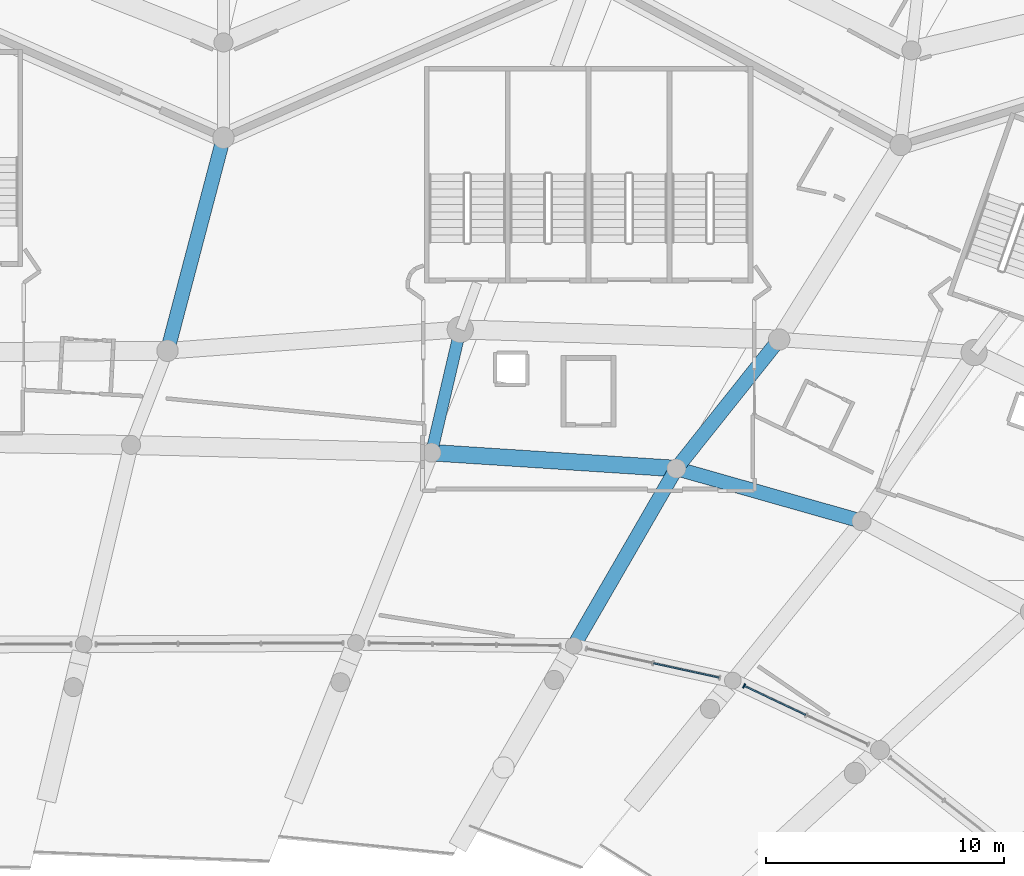
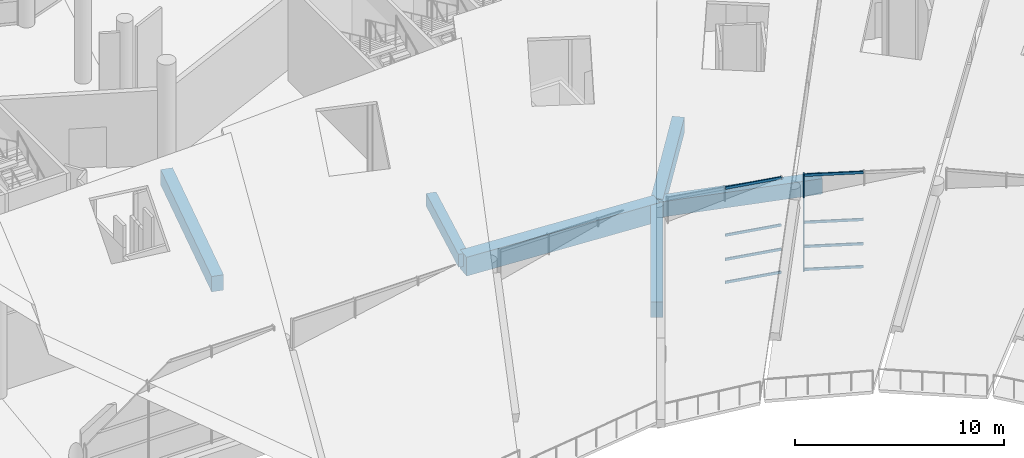
# One storey, part 87 of 249: 9 members, 6 beams, 2 elements without a shape of their own.
"""IFC4 building model written with IfcOpenShell, lengths in metres."""

from ifc_helpers import new_model, si_unit, direction, frame, origin, origin_2d, place, context, subcontext, project, spatial, rectangle, extrude, material, layer, layer_set, material_profile, profile_set, type_object, element, aggregate, save


model = new_model("IFC4")

# Units and contexts
model_context = context("Model", 3, precision=1e-05, world=origin(), true_north=direction((0.0, 1.0)))
body_context = subcontext(model_context, "Body", "Model", "MODEL_VIEW")
ifc_project = project(units=[si_unit("LENGTHUNIT", "METRE"), si_unit("AREAUNIT", "SQUARE_METRE"), si_unit("VOLUMEUNIT", "CUBIC_METRE"), si_unit("PLANEANGLEUNIT", "RADIAN"), si_unit("MASSUNIT", "GRAM", prefix="KILO")], contexts=[model_context])

# Site, building, storey
site_placement = place(None, origin())
site = spatial("IfcSite", under=ifc_project, at=site_placement, CompositionType="ELEMENT")
building_placement = place(site_placement, origin())
building = spatial("IfcBuilding", under=site, at=building_placement, Name="Meseta Stadium", CompositionType="ELEMENT")
storey_placement = place(building_placement, frame((0.0, 0.0, 12.0)))
storey = spatial("IfcBuildingStorey", under=building, at=storey_placement, Name="L02", CompositionType="ELEMENT", Elevation=12.0)

# Curtain wall, members
ifc_material_1 = material(Name="Aluminium", Category="aluminium")
ifc_layer = layer(ifc_material_1, 0.199951171875)
ifc_layer_set = layer_set([ifc_layer], Name="Suite glazing curtain wall")
curtain_wall_type = type_object("IfcCurtainWallType", Name="Suite glazing curtain wall", PredefinedType="NOTDEFINED", material=ifc_layer_set)
curtain_wall_1_placement = place(storey_placement, origin())
curtain_wall_1 = element("IfcCurtainWall", 1, at=curtain_wall_1_placement, inside=storey, type_object=curtain_wall_type, Name="Suite glazing bay 13", PredefinedType="NOTDEFINED")
ifc_material_2 = material(Name="Aluminium", Category="aluminium")
ifc_material_profile_1 = material_profile(ifc_material_2, rectangle(XDim=0.199951171875, YDim=0.06005859375, at=origin_2d()), Name="CW 200x60")
ifc_profile_set_1 = profile_set([ifc_material_profile_1], Name="Aluminium")
member_type_1 = type_object("IfcMemberType", Name="CW mullion 60x200", PredefinedType="MULLION", material=ifc_profile_set_1)
member_1_placement = place(storey_placement, frame((44.86279296875, 75.583251953125, 0.0), z_axis=(0.0, 0.0, 1.0), x_axis=(-0.426837356076, -0.904328409074, 0.0)))
member_1 = element("IfcMember", 2, at=member_1_placement, type_object=member_type_1, Name="CWS mullion 3", PredefinedType="MULLION", context=body_context, shape_type="SweptSolid", body=[
    extrude(rectangle(XDim=0.199951171875, YDim=0.06005859375, at=origin_2d()), origin(), (0.0, 0.0, 1.0), 5.64990234375),
])
ifc_material_3 = material(Name="Aluminium", Category="aluminium")
ifc_material_profile_2 = material_profile(ifc_material_3, rectangle(XDim=0.06005859375, YDim=0.14990234375, at=origin_2d()), Name="CW 60x150")
ifc_profile_set_2 = profile_set([ifc_material_profile_2], Name="Aluminium")
member_type_2 = type_object("IfcMemberType", Name="CW transom 60x150", PredefinedType="USERDEFINED", material=ifc_profile_set_2)
member_2_placement = place(storey_placement, frame((47.442626953125, 74.36572265625, 0.074951171875), z_axis=(-0.904333972245, 0.426825569341, 0.0), x_axis=(-0.426825569341, -0.904333972245, 0.0)))
member_2 = element("IfcMember", 3, at=member_2_placement, type_object=member_type_2, Name="CWS transom 2.1", ObjectType="TRANSOM", PredefinedType="USERDEFINED", context=body_context, shape_type="SweptSolid", body=[
    extrude(rectangle(XDim=0.06005859375, YDim=0.14990234375, at=origin_2d()), origin(), (0.0, 0.0, 1.0), 2.82275390625),
])
member_3_placement = place(storey_placement, frame((47.442626953125, 74.36572265625, 1.41259765625), z_axis=(-0.904333972245, 0.426825569341, 0.0), x_axis=(-0.426825569341, -0.904333972245, 0.0)))
member_3 = element("IfcMember", 4, at=member_3_placement, type_object=member_type_2, Name="CWS transom 2.2", ObjectType="TRANSOM", PredefinedType="USERDEFINED", context=body_context, shape_type="SweptSolid", body=[
    extrude(rectangle(XDim=0.06005859375, YDim=0.14990234375, at=origin_2d()), origin(), (0.0, 0.0, 1.0), 2.82275390625),
])
member_4_placement = place(storey_placement, frame((47.442626953125, 74.36572265625, 2.824951171875), z_axis=(-0.904333972245, 0.426825569341, 0.0), x_axis=(-0.426825569341, -0.904333972245, 0.0)))
member_4 = element("IfcMember", 5, at=member_4_placement, type_object=member_type_2, Name="CWS transom 2.3", ObjectType="TRANSOM", PredefinedType="USERDEFINED", context=body_context, shape_type="SweptSolid", body=[
    extrude(rectangle(XDim=0.06005859375, YDim=0.14990234375, at=origin_2d()), origin(), (0.0, 0.0, 1.0), 2.82275390625),
])
member_5_placement = place(storey_placement, frame((47.442626953125, 74.36572265625, 5.574951171875), z_axis=(-0.904333972245, 0.426825569341, 0.0), x_axis=(-0.426825569341, -0.904333972245, 0.0)))
member_5 = element("IfcMember", 6, at=member_5_placement, type_object=member_type_2, Name="CWS transom 2.4", ObjectType="TRANSOM", PredefinedType="USERDEFINED", context=body_context, shape_type="SweptSolid", body=[
    extrude(rectangle(XDim=0.06005859375, YDim=0.14990234375, at=origin_2d()), origin(), (0.0, 0.0, 1.0), 2.82275390625),
])
aggregate(curtain_wall_1, [member_1, member_2, member_3, member_4, member_5])

curtain_wall_2_placement = place(storey_placement, origin())
curtain_wall_2 = element("IfcCurtainWall", 7, at=curtain_wall_2_placement, inside=storey, type_object=curtain_wall_type, Name="Suite glazing bay 14", PredefinedType="NOTDEFINED")
member_6_placement = place(storey_placement, frame((43.80810546875, 75.933349609375, 0.074951171875), z_axis=(-0.977072677928, 0.212906040417, 0.0), x_axis=(-0.212906040417, -0.977072677928, 0.0)))
member_6 = element("IfcMember", 8, at=member_6_placement, type_object=member_type_2, Name="CWS transom 1.1", ObjectType="TRANSOM", PredefinedType="USERDEFINED", context=body_context, shape_type="SweptSolid", body=[
    extrude(rectangle(XDim=0.06005859375, YDim=0.14990234375, at=origin_2d()), origin(), (0.0, 0.0, 1.0), 2.808349609375),
])
member_7_placement = place(storey_placement, frame((43.80810546875, 75.933349609375, 1.41259765625), z_axis=(-0.977072677928, 0.212906040417, 0.0), x_axis=(-0.212906040417, -0.977072677928, 0.0)))
member_7 = element("IfcMember", 9, at=member_7_placement, type_object=member_type_2, Name="CWS transom 1.2", ObjectType="TRANSOM", PredefinedType="USERDEFINED", context=body_context, shape_type="SweptSolid", body=[
    extrude(rectangle(XDim=0.06005859375, YDim=0.14990234375, at=origin_2d()), origin(), (0.0, 0.0, 1.0), 2.808349609375),
])
member_8_placement = place(storey_placement, frame((43.80810546875, 75.933349609375, 2.824951171875), z_axis=(-0.977072677928, 0.212906040417, 0.0), x_axis=(-0.212906040417, -0.977072677928, 0.0)))
member_8 = element("IfcMember", 10, at=member_8_placement, type_object=member_type_2, Name="CWS transom 1.3", ObjectType="TRANSOM", PredefinedType="USERDEFINED", context=body_context, shape_type="SweptSolid", body=[
    extrude(rectangle(XDim=0.06005859375, YDim=0.14990234375, at=origin_2d()), origin(), (0.0, 0.0, 1.0), 2.808349609375),
])
member_9_placement = place(storey_placement, frame((43.80810546875, 75.933349609375, 5.574951171875), z_axis=(-0.977072677928, 0.212906040417, 0.0), x_axis=(-0.212906040417, -0.977072677928, 0.0)))
member_9 = element("IfcMember", 11, at=member_9_placement, type_object=member_type_2, Name="CWS transom 1.4", ObjectType="TRANSOM", PredefinedType="USERDEFINED", context=body_context, shape_type="SweptSolid", body=[
    extrude(rectangle(XDim=0.06005859375, YDim=0.14990234375, at=origin_2d()), origin(), (0.0, 0.0, 1.0), 2.808349609375),
])
aggregate(curtain_wall_2, [member_6, member_7, member_8, member_9])

# Beams
ifc_material_4 = material(Name="Concrete C40/50", Category="concrete")
ifc_material_profile_3 = material_profile(ifc_material_4, rectangle(XDim=0.5, YDim=0.75, at=origin_2d()), Name="RC 500x750")
ifc_profile_set_3 = profile_set([ifc_material_profile_3], Name="Concrete C40/50")
beam_type_1 = type_object("IfcBeamType", Name="RC beam 500x750", PredefinedType="BEAM", material=ifc_profile_set_3)
beam_1_placement = place(storey_placement, frame((31.73681640625, 85.376708984375, -0.72509765625), z_axis=(0.22721799518, 0.973843921101, 0.0), x_axis=(-0.973843921101, 0.22721799518, 0.0)))
element("IfcBeam", 12, at=beam_1_placement, inside=storey, type_object=beam_type_1, Name="L02 radial beam frame 16 line E to P", PredefinedType="BEAM", context=body_context, shape_type="SweptSolid", body=[
    extrude(rectangle(XDim=0.5, YDim=0.75, at=origin_2d()), origin(), (0.0, 0.0, 1.0), 5.313232421875),
])
ifc_material_5 = material(Name="Concrete C40/50", Category="concrete")
ifc_material_profile_4 = material_profile(ifc_material_5, rectangle(XDim=0.60009765625, YDim=0.89990234375, at=origin_2d()), Name="RC 600x900")
ifc_profile_set_4 = profile_set([ifc_material_profile_4], Name="Concrete C40/50")
beam_type_2 = type_object("IfcBeamType", Name="RC beam 600x900", PredefinedType="BEAM", material=ifc_profile_set_4)
beam_2_placement = place(storey_placement, frame((49.791015625, 82.498779296875, -0.800048828125), z_axis=(-0.961951325549, 0.273220876351, 0.0), x_axis=(-0.273220876351, -0.961951325549, 0.0)))
element("IfcBeam", 13, at=beam_2_placement, inside=storey, type_object=beam_type_2, Name="L02 ring beam frame 14 line E", PredefinedType="BEAM", context=body_context, shape_type="SweptSolid", body=[
    extrude(rectangle(XDim=0.60009765625, YDim=0.89990234375, at=origin_2d()), origin(), (0.0, 0.0, 1.0), 8.083251953125),
])
beam_3_placement = place(storey_placement, frame((37.711669921875, 77.26171875, -0.800048828125), z_axis=(0.500437453612, 0.865772692467, 0.0), x_axis=(-0.865772692467, 0.500437453612, 0.0)))
element("IfcBeam", 14, at=beam_3_placement, inside=storey, type_object=beam_type_2, Name="L02 radial beam frame 15 line D to E", PredefinedType="BEAM", context=body_context, shape_type="SweptSolid", body=[
    extrude(rectangle(XDim=0.60009765625, YDim=0.89990234375, at=origin_2d()), origin(), (0.0, 0.0, 1.0), 8.599853515625),
])
beam_4_placement = place(storey_placement, frame((42.015380859375, 84.707275390625, -0.800048828125), z_axis=(0.623172725644, 0.782084237159, 0.0), x_axis=(-0.782084237159, 0.623172725644, 0.0)))
element("IfcBeam", 15, at=beam_4_placement, inside=storey, type_object=beam_type_2, Name="L02 radial beam frame 15 line E to P", PredefinedType="BEAM", context=body_context, shape_type="SweptSolid", body=[
    extrude(rectangle(XDim=0.60009765625, YDim=0.89990234375, at=origin_2d()), origin(), (0.0, 0.0, 1.0), 6.928955078125),
])
beam_5_placement = place(storey_placement, frame((20.649658203125, 89.65625, -0.800048828125), z_axis=(0.254159308712, 0.967162367855, 0.0), x_axis=(-0.967162367855, 0.254159308712, 0.0)))
element("IfcBeam", 16, at=beam_5_placement, inside=storey, type_object=beam_type_2, Name="L02 radial beam frame 17 line P to R", PredefinedType="BEAM", context=body_context, shape_type="SweptSolid", body=[
    extrude(rectangle(XDim=0.60009765625, YDim=0.89990234375, at=origin_2d()), origin(), (0.0, 0.0, 1.0), 9.24755859375),
])
ifc_material_6 = material(Name="Concrete C40/50", Category="concrete")
ifc_material_profile_5 = material_profile(ifc_material_6, rectangle(XDim=0.699951171875, YDim=1.10009765625, at=origin_2d()), Name="RC 700x1100")
ifc_profile_set_5 = profile_set([ifc_material_profile_5], Name="Concrete C40/50")
beam_type_3 = type_object("IfcBeamType", Name="RC beam 700x1100", PredefinedType="BEAM", material=ifc_profile_set_5)
beam_6_placement = place(storey_placement, frame((42.015380859375, 84.707275390625, -0.89990234375), z_axis=(-0.997885824096, 0.064991399959, 0.0), x_axis=(-0.064991399959, -0.997885824096, 0.0)))
element("IfcBeam", 17, at=beam_6_placement, inside=storey, type_object=beam_type_3, Name="L02 ring beam frame 15 line E", PredefinedType="BEAM", context=body_context, shape_type="SweptSolid", body=[
    extrude(rectangle(XDim=0.699951171875, YDim=1.10009765625, at=origin_2d()), origin(), (0.0, 0.0, 1.0), 10.30029296875),
])

save(model, "model.ifc")
